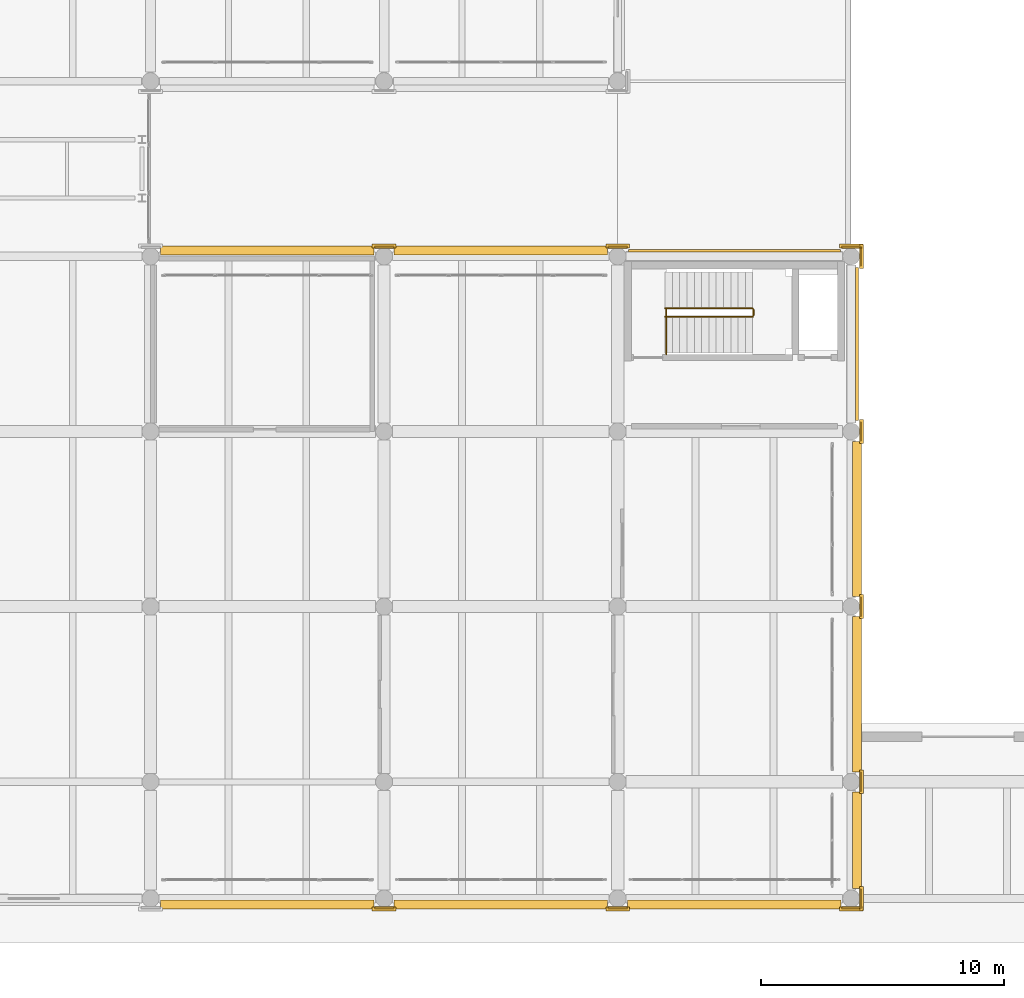
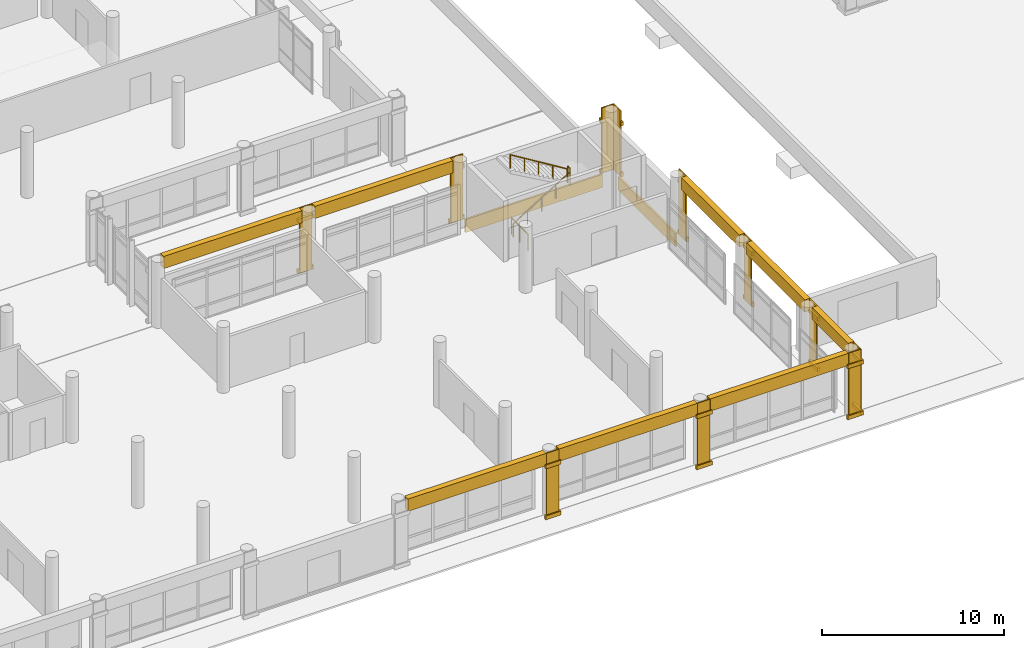
# One storey, part 172 of 196: 43 coverings, 4 railings.
"""IFC4 building model written with IfcOpenShell, lengths in metres."""

import ifcopenshell
import ifcopenshell.guid

model = None  # the IFC model being written
_history = None  # IfcOwnerHistory: only IFC2X3 demands one
_inside = {}  # id of a spatial element -> (the spatial element, [elements in it])
_under = {}  # id of a project, library or spatial element -> (it, [spatial elements below it])
_declared = {}  # id of a project -> (the project, [libraries it declares])
_typed = {}  # id of a type object -> (the type object, [elements of that type])
_made_of = {}  # id of a material, layer set ... -> (it, [elements and type objects made of it])


def new_model(schema):
    """Start an empty IFC model of exactly this schema.

    Asked for "IFC4X3", IfcOpenShell would pick the latest addendum, in which some entities
    have other attributes; the version numbers below select the first issue.
    IFC2X3 requires an IfcOwnerHistory on every rooted entity: one is made here for all.
    """
    global model, _history
    if schema == "IFC4X3":
        model = ifcopenshell.file(schema_version=(4, 3, 0, 0))
    else:
        model = ifcopenshell.file(schema=schema)
    _inside.clear()
    _under.clear()
    _declared.clear()
    _typed.clear()
    _made_of.clear()
    _history = None
    if model.schema == "IFC2X3":
        org = make("IfcOrganization", Name="unknown")
        user = make(
            "IfcPersonAndOrganization",
            ThePerson=make("IfcPerson", FamilyName="unknown"),
            TheOrganization=org,
        )
        app = make(
            "IfcApplication",
            ApplicationDeveloper=org,
            Version="unknown",
            ApplicationFullName="unknown",
            ApplicationIdentifier="unknown",
        )
        _history = make(
            "IfcOwnerHistory",
            OwningUser=user,
            OwningApplication=app,
            ChangeAction="ADDED",
            CreationDate=0,
        )
    return model


def make(cls, **values):
    """One entity of the class cls with the attributes given. An attribute that is None is left unset."""
    return model.create_entity(
        cls, **{name: value for name, value in values.items() if value is not None}
    )


def rooted(cls, **values):
    """An entity with a GlobalId (a new one), such as an element, a storey or a relation."""
    return make(cls, GlobalId=ifcopenshell.guid.new(), OwnerHistory=_history, **values)


def si_unit(unit_type, name, prefix=None):
    """IfcSIUnit, for example si_unit("LENGTHUNIT", "METRE", prefix="MILLI")."""
    return make("IfcSIUnit", UnitType=unit_type, Prefix=prefix, Name=name)


def assignment(units):
    """IfcUnitAssignment: the units of a project."""
    return None if units is None else make("IfcUnitAssignment", Units=units)


def point(xyz):
    """IfcCartesianPoint."""
    return None if xyz is None else make("IfcCartesianPoint", Coordinates=xyz)


def direction(xyz):
    """IfcDirection."""
    return None if xyz is None else make("IfcDirection", DirectionRatios=xyz)


def frame(location, z_axis=None, x_axis=None):
    """IfcAxis2Placement3D, a coordinate frame: its origin and axes. An axis left out is left unset."""
    return make(
        "IfcAxis2Placement3D",
        Location=point(location),
        Axis=direction(z_axis),
        RefDirection=direction(x_axis),
    )


def frame_2d(location, x_axis=None):
    """IfcAxis2Placement2D, a coordinate frame in the plane: its origin and x axis."""
    return make(
        "IfcAxis2Placement2D", Location=point(location), RefDirection=direction(x_axis)
    )


def origin():
    """The frame at (0, 0, 0) with its axes left unset."""
    return frame((0.0, 0.0, 0.0))


def origin_2d():
    """The frame at (0, 0) in the plane with its x axis left unset."""
    return frame_2d((0.0, 0.0))


def place(relative_to, where):
    """IfcLocalPlacement: puts the frame where relative to a parent placement (None: the world)."""
    return make(
        "IfcLocalPlacement", PlacementRelTo=relative_to, RelativePlacement=where
    )


def context(
    kind, dimensions, precision=None, world=None, true_north=None, identifier=None
):
    """IfcGeometricRepresentationContext, for example the 3D "Model" context."""
    return make(
        "IfcGeometricRepresentationContext",
        ContextIdentifier=identifier,
        ContextType=kind,
        CoordinateSpaceDimension=dimensions,
        Precision=precision,
        WorldCoordinateSystem=world,
        TrueNorth=true_north,
    )


def subcontext(parent, identifier, kind, view, scale=None):
    """IfcGeometricRepresentationSubContext, for example "Body" below "Model"."""
    return make(
        "IfcGeometricRepresentationSubContext",
        ContextIdentifier=identifier,
        ContextType=kind,
        ParentContext=parent,
        TargetScale=scale,
        TargetView=view,
    )


def project(units=None, contexts=None):
    """IfcProject with its units and contexts."""
    return rooted(
        "IfcProject",
        Name="project",
        RepresentationContexts=contexts,
        UnitsInContext=assignment(units),
    )


def spatial(cls, under=None, at=None, **own):
    """A site, building, storey or space (cls), placed at a placement, below another one or the project."""
    s = rooted(cls, ObjectPlacement=at, **own)
    if under is not None:
        _under.setdefault(under.id(), (under, []))[1].append(s)
    return s


def profile(cls, at=None, kind="AREA", **sizes):
    """A parametric profile (cls). Its sizes go by their IFC names, for example OverallWidth=200.0."""
    return make(cls, ProfileType=kind, Position=at, **sizes)


def rectangle(**sizes):
    """IfcRectangleProfileDef."""
    return profile("IfcRectangleProfileDef", **sizes)


def circle(**sizes):
    """IfcCircleProfileDef."""
    return profile("IfcCircleProfileDef", **sizes)


def extrude(swept, where, along, depth):
    """IfcExtrudedAreaSolid: the profile swept, set in the frame where, extruded along a direction by depth."""
    return make(
        "IfcExtrudedAreaSolid",
        SweptArea=swept,
        Position=where,
        ExtrudedDirection=direction(along),
        Depth=depth,
    )


def shape(context_of_items, identifier, shape_type, items):
    """IfcShapeRepresentation: the items that make up one representation, for example the "Body"."""
    return make(
        "IfcShapeRepresentation",
        ContextOfItems=context_of_items,
        RepresentationIdentifier=identifier,
        RepresentationType=shape_type,
        Items=items,
    )


def material(Name=None, Category=None):
    """IfcMaterial."""
    return make("IfcMaterial", Name=Name, Category=Category)


def layer(
    of_material, thickness, ventilated=None, Name=None, Category=None, Priority=None
):
    """IfcMaterialLayer: one layer of a wall or slab, of a material (None: an air gap)."""
    return make(
        "IfcMaterialLayer",
        Material=of_material,
        LayerThickness=thickness,
        IsVentilated=ventilated,
        Name=Name,
        Category=Category,
        Priority=Priority,
    )


def layer_set(layers, Name=None):
    """IfcMaterialLayerSet."""
    return make("IfcMaterialLayerSet", MaterialLayers=layers, LayerSetName=Name)


def made_of(thing, what):
    """Note that an element or type object is made of a material, layer set ...; save() writes the relation."""
    if what is not None:
        _made_of.setdefault(what.id(), (what, []))[1].append(thing)
    return thing


def type_object(cls, material=None, **own):
    """A type object (cls), such as IfcWallType, which elements share."""
    return made_of(rooted(cls, **own), material)


def element(
    cls,
    number,
    at=None,
    inside=None,
    cuts=None,
    type_object=None,
    material=None,
    context=None,
    identifier="Body",
    shape_type=None,
    held_by="IfcProductDefinitionShape",
    body=None,
    shapes=None,
    **own,
):
    """One element of the class cls, such as IfcWall. Its Tag is "e" and its number.

    at: its placement. inside: the storey or other place that contains it. cuts: it is an
    opening in that element (IfcRelVoidsElement). A single representation is given by context,
    identifier, shape_type and body (its items); several are given by shapes. held_by: the class
    of the entity that holds the representations. save() writes the other relations.
    """
    e = rooted(cls, Tag="e%d" % number, ObjectPlacement=at, **own)
    if body is not None:
        shapes = [shape(context, identifier, shape_type, body)]
    if shapes is not None:
        e.Representation = make(held_by, Representations=shapes)
    if inside is not None:
        _inside.setdefault(inside.id(), (inside, []))[1].append(e)
    if cuts is not None:
        rooted(
            "IfcRelVoidsElement", RelatingBuildingElement=cuts, RelatedOpeningElement=e
        )
    if type_object is not None:
        _typed.setdefault(type_object.id(), (type_object, []))[1].append(e)
    return made_of(e, material)


def aggregate(whole, parts):
    """IfcRelAggregates: a whole, such as a stair, and the parts it consists of."""
    return rooted("IfcRelAggregates", RelatingObject=whole, RelatedObjects=parts)


def save(model, path):
    """Write the relations noted so far, then the file.

    IfcRelAggregates (storeys below a building ...), IfcRelContainedInSpatialStructure (elements
    in a storey), IfcRelDefinesByType, IfcRelAssociatesMaterial and IfcRelDeclares: one each for
    every whole, place, type object, material and project.
    """
    for whole, parts in _under.values():
        aggregate(whole, parts)
    for where, things in _inside.values():
        rooted(
            "IfcRelContainedInSpatialStructure",
            RelatedElements=things,
            RelatingStructure=where,
        )
    for kind, things in _typed.values():
        rooted("IfcRelDefinesByType", RelatedObjects=things, RelatingType=kind)
    for what, things in _made_of.values():
        rooted("IfcRelAssociatesMaterial", RelatedObjects=things, RelatingMaterial=what)
    for by, libraries in _declared.values():
        rooted("IfcRelDeclares", RelatingContext=by, RelatedDefinitions=libraries)
    model.write(path)


model = new_model("IFC4")

# Units and contexts
model_context = context("Model", 3, precision=1e-05, world=origin(), true_north=direction((0.0, 1.0)))
body_context = subcontext(model_context, "Body", "Model", "MODEL_VIEW")
ifc_project = project(units=[si_unit("LENGTHUNIT", "METRE"), si_unit("AREAUNIT", "SQUARE_METRE"), si_unit("VOLUMEUNIT", "CUBIC_METRE"), si_unit("PLANEANGLEUNIT", "RADIAN"), si_unit("MASSUNIT", "GRAM", prefix="KILO")], contexts=[model_context])

# Site, building, storey
site_placement = place(None, origin())
site = spatial("IfcSite", under=ifc_project, at=site_placement, CompositionType="ELEMENT")
building_placement = place(site_placement, origin())
building = spatial("IfcBuilding", under=site, at=building_placement, Name="Asteropetra Specialist Clinic", CompositionType="ELEMENT")
storey_placement = place(building_placement, origin())
storey = spatial("IfcBuildingStorey", under=building, at=storey_placement, Name="L00", CompositionType="ELEMENT", Elevation=0.0)

# Coverings
ifc_material_1 = material(Name="Pentelic marble ashlar", Category="masonry")
ifc_layer = layer(ifc_material_1, 0.159912109375)
ifc_layer_set = layer_set([ifc_layer], Name="Pentelic marble ashlar")
covering_type = type_object("IfcCoveringType", Name="CRN-ENTAB-600", PredefinedType="MOLDING", material=ifc_layer_set)
for number, where, z_axis, x_axis, name in (
    (1, (33.60009765625, -0.239990234375, 3.58984375), (0.0, 0.0, 1.0), (1.0, 0.0, 0.0), "Stoa Classical Entablature SE-0003"),
    (2, (33.60009765625, 26.639892578125, 3.58984375), (0.0, 0.0, 1.0), (1.0, 0.0, 0.0), "Stoa Classical Entablature SE-0004"),
    (3, (43.199951171875, -0.239990234375, 3.58984375), (0.0, 0.0, 1.0), (1.0, 0.0, 0.0), "Stoa Classical Entablature SE-0005"),
    (4, (43.199951171875, 26.639892578125, 3.58984375), (0.0, 0.0, 1.0), (1.0, 0.0, 0.0), "Stoa Classical Entablature SE-0006"),
    (5, (52.800048828125, -0.239990234375, 3.58984375), (0.0, 0.0, 1.0), (1.0, 0.0, 0.0), "Stoa Classical Entablature SE-0007"),
):
    element("IfcCovering", number, at=place(storey_placement, frame(where, z_axis=z_axis, x_axis=x_axis)), inside=storey, type_object=covering_type, Name=name, PredefinedType="MOLDING", context=body_context, shape_type="SweptSolid", body=[
        extrude(rectangle(XDim=8.780029296875, YDim=0.360107421875, at=origin_2d()), origin(), (0.0, 0.0, 1.0), 0.820068359375),
    ])
covering_1_placement = place(storey_placement, frame((57.840087890625, 2.39990234375, 3.58984375), z_axis=(0.0, 0.0, 1.0), x_axis=(1.0, 0.0, 0.0)))
element("IfcCovering", 6, at=covering_1_placement, inside=storey, type_object=covering_type, Name="Stoa Classical Entablature SE-0008", PredefinedType="MOLDING", context=body_context, shape_type="SweptSolid", body=[
    extrude(rectangle(XDim=0.360107421875, YDim=3.97998046875, at=origin_2d()), origin(), (0.0, 0.0, 1.0), 0.820068359375),
])
for number, where, z_axis, x_axis, name in (
    (7, (57.840087890625, 8.39990234375, 3.58984375), (0.0, 0.0, 1.0), (1.0, 0.0, 0.0), "Stoa Classical Entablature SE-0010"),
    (8, (57.840087890625, 15.60009765625, 3.58984375), (0.0, 0.0, 1.0), (1.0, 0.0, 0.0), "Stoa Classical Entablature SE-0012"),
):
    element("IfcCovering", number, at=place(storey_placement, frame(where, z_axis=z_axis, x_axis=x_axis)), inside=storey, type_object=covering_type, Name=name, PredefinedType="MOLDING", context=body_context, shape_type="SweptSolid", body=[
        extrude(rectangle(XDim=0.360107421875, YDim=6.3798828125, at=origin_2d()), origin(), (0.0, 0.0, 1.0), 0.820068359375),
    ])
covering_2_placement = place(storey_placement, frame((38.39990234375, -0.382080078125, 0.02001953125), z_axis=(0.0, 0.0, 1.0), x_axis=(1.0, 0.0, 0.0)))
element("IfcCovering", 9, at=covering_2_placement, inside=storey, type_object=covering_type, Name="Neoclassical Pilaster Facing CM-0274", PredefinedType="MOLDING", context=body_context, shape_type="SweptSolid", body=[
    extrude(rectangle(XDim=0.780029296875, YDim=0.080078125, at=origin_2d()), origin(), (0.0, 0.0, 1.0), 4.3798828125),
])
for number, where, z_axis, x_axis, name in (
    (10, (38.39990234375, -0.422119140625, 0.009765625), (0.0, 0.0, 1.0), (1.0, 0.0, 0.0), "Doric Base CC-0275"),
    (11, (38.39990234375, -0.422119140625, 3.43017578125), (0.0, 0.0, 1.0), (1.0, 0.0, 0.0), "Doric Capital CC-0276"),
):
    element("IfcCovering", number, at=place(storey_placement, frame(where, z_axis=z_axis, x_axis=x_axis)), inside=storey, type_object=covering_type, Name=name, PredefinedType="MOLDING", context=body_context, shape_type="SweptSolid", body=[
        extrude(rectangle(XDim=0.97998046875, YDim=0.159912109375, at=origin_2d()), origin(), (0.0, 0.0, 1.0), 0.260009765625),
    ])
covering_3_placement = place(storey_placement, frame((38.39990234375, 26.781982421875, 0.02001953125), z_axis=(0.0, 0.0, 1.0), x_axis=(1.0, 0.0, 0.0)))
element("IfcCovering", 12, at=covering_3_placement, inside=storey, type_object=covering_type, Name="Neoclassical Pilaster Facing CM-0277", PredefinedType="MOLDING", context=body_context, shape_type="SweptSolid", body=[
    extrude(rectangle(XDim=0.780029296875, YDim=0.080078125, at=origin_2d()), origin(), (0.0, 0.0, 1.0), 4.3798828125),
])
for number, where, z_axis, x_axis, name in (
    (13, (38.39990234375, 26.822021484375, 0.009765625), (0.0, 0.0, 1.0), (1.0, 0.0, 0.0), "Doric Base CC-0278"),
    (14, (38.39990234375, 26.822021484375, 3.43017578125), (0.0, 0.0, 1.0), (1.0, 0.0, 0.0), "Doric Capital CC-0279"),
):
    element("IfcCovering", number, at=place(storey_placement, frame(where, z_axis=z_axis, x_axis=x_axis)), inside=storey, type_object=covering_type, Name=name, PredefinedType="MOLDING", context=body_context, shape_type="SweptSolid", body=[
        extrude(rectangle(XDim=0.97998046875, YDim=0.159912109375, at=origin_2d()), origin(), (0.0, 0.0, 1.0), 0.260009765625),
    ])
covering_4_placement = place(storey_placement, frame((48.0, -0.382080078125, 0.02001953125), z_axis=(0.0, 0.0, 1.0), x_axis=(1.0, 0.0, 0.0)))
element("IfcCovering", 15, at=covering_4_placement, inside=storey, type_object=covering_type, Name="Neoclassical Pilaster Facing CM-0280", PredefinedType="MOLDING", context=body_context, shape_type="SweptSolid", body=[
    extrude(rectangle(XDim=0.780029296875, YDim=0.080078125, at=origin_2d()), origin(), (0.0, 0.0, 1.0), 4.3798828125),
])
for number, where, z_axis, x_axis, name in (
    (16, (48.0, -0.422119140625, 0.009765625), (0.0, 0.0, 1.0), (1.0, 0.0, 0.0), "Doric Base CC-0281"),
    (17, (48.0, -0.422119140625, 3.43017578125), (0.0, 0.0, 1.0), (1.0, 0.0, 0.0), "Doric Capital CC-0282"),
):
    element("IfcCovering", number, at=place(storey_placement, frame(where, z_axis=z_axis, x_axis=x_axis)), inside=storey, type_object=covering_type, Name=name, PredefinedType="MOLDING", context=body_context, shape_type="SweptSolid", body=[
        extrude(rectangle(XDim=0.97998046875, YDim=0.159912109375, at=origin_2d()), origin(), (0.0, 0.0, 1.0), 0.260009765625),
    ])
covering_5_placement = place(storey_placement, frame((48.0, 26.781982421875, 0.02001953125), z_axis=(0.0, 0.0, 1.0), x_axis=(1.0, 0.0, 0.0)))
element("IfcCovering", 18, at=covering_5_placement, inside=storey, type_object=covering_type, Name="Neoclassical Pilaster Facing CM-0283", PredefinedType="MOLDING", context=body_context, shape_type="SweptSolid", body=[
    extrude(rectangle(XDim=0.780029296875, YDim=0.080078125, at=origin_2d()), origin(), (0.0, 0.0, 1.0), 4.3798828125),
])
for number, where, z_axis, x_axis, name in (
    (19, (48.0, 26.822021484375, 0.009765625), (0.0, 0.0, 1.0), (1.0, 0.0, 0.0), "Doric Base CC-0284"),
    (20, (48.0, 26.822021484375, 3.43017578125), (0.0, 0.0, 1.0), (1.0, 0.0, 0.0), "Doric Capital CC-0285"),
):
    element("IfcCovering", number, at=place(storey_placement, frame(where, z_axis=z_axis, x_axis=x_axis)), inside=storey, type_object=covering_type, Name=name, PredefinedType="MOLDING", context=body_context, shape_type="SweptSolid", body=[
        extrude(rectangle(XDim=0.97998046875, YDim=0.159912109375, at=origin_2d()), origin(), (0.0, 0.0, 1.0), 0.260009765625),
    ])
covering_6_placement = place(storey_placement, frame((57.60009765625, -0.382080078125, 0.02001953125), z_axis=(0.0, 0.0, 1.0), x_axis=(1.0, 0.0, 0.0)))
element("IfcCovering", 21, at=covering_6_placement, inside=storey, type_object=covering_type, Name="Neoclassical Pilaster Facing CM-0286", PredefinedType="MOLDING", context=body_context, shape_type="SweptSolid", body=[
    extrude(rectangle(XDim=0.780029296875, YDim=0.080078125, at=origin_2d()), origin(), (0.0, 0.0, 1.0), 4.3798828125),
])
for number, where, z_axis, x_axis, name in (
    (22, (57.60009765625, -0.422119140625, 0.009765625), (0.0, 0.0, 1.0), (1.0, 0.0, 0.0), "Doric Base CC-0287"),
    (23, (57.60009765625, -0.422119140625, 3.43017578125), (0.0, 0.0, 1.0), (1.0, 0.0, 0.0), "Doric Capital CC-0288"),
):
    element("IfcCovering", number, at=place(storey_placement, frame(where, z_axis=z_axis, x_axis=x_axis)), inside=storey, type_object=covering_type, Name=name, PredefinedType="MOLDING", context=body_context, shape_type="SweptSolid", body=[
        extrude(rectangle(XDim=0.97998046875, YDim=0.159912109375, at=origin_2d()), origin(), (0.0, 0.0, 1.0), 0.260009765625),
    ])
covering_7_placement = place(storey_placement, frame((57.98193359375, 0.0, 0.02001953125), z_axis=(0.0, 0.0, 1.0), x_axis=(1.0, 0.0, 0.0)))
element("IfcCovering", 24, at=covering_7_placement, inside=storey, type_object=covering_type, Name="Neoclassical Pilaster Facing CM-0289", PredefinedType="MOLDING", context=body_context, shape_type="SweptSolid", body=[
    extrude(rectangle(XDim=0.080078125, YDim=0.780029296875, at=origin_2d()), origin(), (0.0, 0.0, 1.0), 4.3798828125),
])
for number, where, z_axis, x_axis, name in (
    (25, (58.02197265625, 0.0, 0.009765625), (0.0, 0.0, 1.0), (1.0, 0.0, 0.0), "Doric Base CC-0290"),
    (26, (58.02197265625, 0.0, 3.43017578125), (0.0, 0.0, 1.0), (1.0, 0.0, 0.0), "Doric Capital CC-0291"),
):
    element("IfcCovering", number, at=place(storey_placement, frame(where, z_axis=z_axis, x_axis=x_axis)), inside=storey, type_object=covering_type, Name=name, PredefinedType="MOLDING", context=body_context, shape_type="SweptSolid", body=[
        extrude(rectangle(XDim=0.159912109375, YDim=0.97998046875, at=origin_2d()), origin(), (0.0, 0.0, 1.0), 0.260009765625),
    ])
covering_8_placement = place(storey_placement, frame((57.98193359375, 4.800048828125, 0.02001953125), z_axis=(0.0, 0.0, 1.0), x_axis=(1.0, 0.0, 0.0)))
element("IfcCovering", 27, at=covering_8_placement, inside=storey, type_object=covering_type, Name="Neoclassical Pilaster Facing CM-0292", PredefinedType="MOLDING", context=body_context, shape_type="SweptSolid", body=[
    extrude(rectangle(XDim=0.080078125, YDim=0.780029296875, at=origin_2d()), origin(), (0.0, 0.0, 1.0), 4.3798828125),
])
for number, where, z_axis, x_axis, name in (
    (28, (58.02197265625, 4.800048828125, 0.009765625), (0.0, 0.0, 1.0), (1.0, 0.0, 0.0), "Doric Base CC-0293"),
    (29, (58.02197265625, 4.800048828125, 3.43017578125), (0.0, 0.0, 1.0), (1.0, 0.0, 0.0), "Doric Capital CC-0294"),
):
    element("IfcCovering", number, at=place(storey_placement, frame(where, z_axis=z_axis, x_axis=x_axis)), inside=storey, type_object=covering_type, Name=name, PredefinedType="MOLDING", context=body_context, shape_type="SweptSolid", body=[
        extrude(rectangle(XDim=0.159912109375, YDim=0.97998046875, at=origin_2d()), origin(), (0.0, 0.0, 1.0), 0.260009765625),
    ])
covering_9_placement = place(storey_placement, frame((57.98193359375, 12.0, 0.02001953125), z_axis=(0.0, 0.0, 1.0), x_axis=(1.0, 0.0, 0.0)))
element("IfcCovering", 30, at=covering_9_placement, inside=storey, type_object=covering_type, Name="Neoclassical Pilaster Facing CM-0295", PredefinedType="MOLDING", context=body_context, shape_type="SweptSolid", body=[
    extrude(rectangle(XDim=0.080078125, YDim=0.780029296875, at=origin_2d()), origin(), (0.0, 0.0, 1.0), 4.3798828125),
])
for number, where, z_axis, x_axis, name in (
    (31, (58.02197265625, 12.0, 0.009765625), (0.0, 0.0, 1.0), (1.0, 0.0, 0.0), "Doric Base CC-0296"),
    (32, (58.02197265625, 12.0, 3.43017578125), (0.0, 0.0, 1.0), (1.0, 0.0, 0.0), "Doric Capital CC-0297"),
):
    element("IfcCovering", number, at=place(storey_placement, frame(where, z_axis=z_axis, x_axis=x_axis)), inside=storey, type_object=covering_type, Name=name, PredefinedType="MOLDING", context=body_context, shape_type="SweptSolid", body=[
        extrude(rectangle(XDim=0.159912109375, YDim=0.97998046875, at=origin_2d()), origin(), (0.0, 0.0, 1.0), 0.260009765625),
    ])
covering_10_placement = place(storey_placement, frame((57.98193359375, 19.199951171875, 0.02001953125), z_axis=(0.0, 0.0, 1.0), x_axis=(1.0, 0.0, 0.0)))
element("IfcCovering", 33, at=covering_10_placement, inside=storey, type_object=covering_type, Name="Neoclassical Pilaster Facing CM-0298", PredefinedType="MOLDING", context=body_context, shape_type="SweptSolid", body=[
    extrude(rectangle(XDim=0.080078125, YDim=0.780029296875, at=origin_2d()), origin(), (0.0, 0.0, 1.0), 4.3798828125),
])
for number, where, z_axis, x_axis, name in (
    (34, (58.02197265625, 19.199951171875, 0.009765625), (0.0, 0.0, 1.0), (1.0, 0.0, 0.0), "Doric Base CC-0299"),
    (35, (58.02197265625, 19.199951171875, 3.43017578125), (0.0, 0.0, 1.0), (1.0, 0.0, 0.0), "Doric Capital CC-0300"),
):
    element("IfcCovering", number, at=place(storey_placement, frame(where, z_axis=z_axis, x_axis=x_axis)), inside=storey, type_object=covering_type, Name=name, PredefinedType="MOLDING", context=body_context, shape_type="SweptSolid", body=[
        extrude(rectangle(XDim=0.159912109375, YDim=0.97998046875, at=origin_2d()), origin(), (0.0, 0.0, 1.0), 0.260009765625),
    ])
covering_11_placement = place(storey_placement, frame((57.60009765625, 26.781982421875, 0.02001953125), z_axis=(0.0, 0.0, 1.0), x_axis=(1.0, 0.0, 0.0)))
element("IfcCovering", 36, at=covering_11_placement, inside=storey, type_object=covering_type, Name="Neoclassical Pilaster Facing CM-0301", PredefinedType="MOLDING", context=body_context, shape_type="SweptSolid", body=[
    extrude(rectangle(XDim=0.780029296875, YDim=0.080078125, at=origin_2d()), origin(), (0.0, 0.0, 1.0), 4.3798828125),
])
for number, where, z_axis, x_axis, name in (
    (37, (57.60009765625, 26.822021484375, 0.009765625), (0.0, 0.0, 1.0), (1.0, 0.0, 0.0), "Doric Base CC-0302"),
    (38, (57.60009765625, 26.822021484375, 3.43017578125), (0.0, 0.0, 1.0), (1.0, 0.0, 0.0), "Doric Capital CC-0303"),
):
    element("IfcCovering", number, at=place(storey_placement, frame(where, z_axis=z_axis, x_axis=x_axis)), inside=storey, type_object=covering_type, Name=name, PredefinedType="MOLDING", context=body_context, shape_type="SweptSolid", body=[
        extrude(rectangle(XDim=0.97998046875, YDim=0.159912109375, at=origin_2d()), origin(), (0.0, 0.0, 1.0), 0.260009765625),
    ])
covering_12_placement = place(storey_placement, frame((57.98193359375, 26.39990234375, 0.02001953125), z_axis=(0.0, 0.0, 1.0), x_axis=(1.0, 0.0, 0.0)))
element("IfcCovering", 39, at=covering_12_placement, inside=storey, type_object=covering_type, Name="Neoclassical Pilaster Facing CM-0304", PredefinedType="MOLDING", context=body_context, shape_type="SweptSolid", body=[
    extrude(rectangle(XDim=0.080078125, YDim=0.780029296875, at=origin_2d()), origin(), (0.0, 0.0, 1.0), 4.3798828125),
])
for number, where, z_axis, x_axis, name in (
    (40, (58.02197265625, 26.39990234375, 0.009765625), (0.0, 0.0, 1.0), (1.0, 0.0, 0.0), "Doric Base CC-0305"),
    (41, (58.02197265625, 26.39990234375, 3.43017578125), (0.0, 0.0, 1.0), (1.0, 0.0, 0.0), "Doric Capital CC-0306"),
):
    element("IfcCovering", number, at=place(storey_placement, frame(where, z_axis=z_axis, x_axis=x_axis)), inside=storey, type_object=covering_type, Name=name, PredefinedType="MOLDING", context=body_context, shape_type="SweptSolid", body=[
        extrude(rectangle(XDim=0.159912109375, YDim=0.97998046875, at=origin_2d()), origin(), (0.0, 0.0, 1.0), 0.260009765625),
    ])
covering_13_placement = place(storey_placement, frame((52.800048828125, 26.6298828125, -0.800048828125), z_axis=(0.0, 0.0, 1.0), x_axis=(1.0, 0.0, 0.0)))
element("IfcCovering", 42, at=covering_13_placement, inside=storey, type_object=covering_type, Name="Chevron Spandrel Band CV-1361", PredefinedType="MOLDING", context=body_context, shape_type="SweptSolid", body=[
    extrude(rectangle(XDim=8.699951171875, YDim=0.1201171875, at=origin_2d()), origin(), (0.0, 0.0, 1.0), 0.8798828125),
])
covering_14_placement = place(storey_placement, frame((57.830078125, 22.800048828125, -0.800048828125), z_axis=(0.0, 0.0, 1.0), x_axis=(1.0, 0.0, 0.0)))
element("IfcCovering", 43, at=covering_14_placement, inside=storey, type_object=covering_type, Name="Chevron Spandrel Band CV-1364", PredefinedType="MOLDING", context=body_context, shape_type="SweptSolid", body=[
    extrude(rectangle(XDim=0.1201171875, YDim=6.300048828125, at=origin_2d()), origin(), (0.0, 0.0, 1.0), 0.8798828125),
])

# Railings
ifc_material_2 = material(Name="Steel S355 and laminated glass guard", Category="steel")
railing_type_1 = type_object("IfcRailingType", Name="GRD-INT-1120", PredefinedType="GUARDRAIL", material=ifc_material_2)
railing_1_placement = place(storey_placement, frame((50.0, 22.3798828125, 0.0)))
element("IfcRailing", 44, at=railing_1_placement, inside=storey, type_object=railing_type_1, Name="Stair Well Guard ST07-B1", PredefinedType="GUARDRAIL", context=body_context, shape_type="SweptSolid", body=[
    extrude(circle(Radius=0.02392578125, at=origin_2d()), frame((0.0, 0.0, 1.09619140625), z_axis=(0.0, 1.0, 0.0), x_axis=(-1.0, 0.0, 0.0)), (0.0, 0.0, 1.0), 1.830078125),
    extrude(circle(Radius=0.02099609375, at=origin_2d()), origin(), (0.0, 0.0, 1.0), 1.072021484375),
    extrude(circle(Radius=0.02099609375, at=origin_2d()), frame((0.0, 0.9150390625, 0.0)), (0.0, 0.0, 1.0), 1.072021484375),
    extrude(circle(Radius=0.02099609375, at=origin_2d()), frame((0.0, 1.830078125, 0.0)), (0.0, 0.0, 1.0), 1.072021484375),
])
railing_2_placement = place(storey_placement, frame((53.580078125, 23.969970703125, 2.2099609375)))
element("IfcRailing", 45, at=railing_2_placement, inside=storey, type_object=railing_type_1, Name="Landing Slot Guard ST07-L00", PredefinedType="GUARDRAIL", context=body_context, shape_type="SweptSolid", body=[
    extrude(circle(Radius=0.02392578125, at=origin_2d()), frame((0.0, 0.0, 1.09619140625), z_axis=(0.0, 1.0, 0.0), x_axis=(-1.0, 0.0, 0.0)), (0.0, 0.0, 1.0), 0.239990234375),
    extrude(circle(Radius=0.02099609375, at=origin_2d()), origin(), (0.0, 0.0, 1.0), 1.072021484375),
    extrude(circle(Radius=0.02099609375, at=origin_2d()), frame((0.0, 0.239990234375, 0.0)), (0.0, 0.0, 1.0), 1.072021484375),
])
ifc_material_3 = material(Name="Brushed stainless steel handrail", Category="steel")
railing_type_2 = type_object("IfcRailingType", Name="HRL-STAIR-920", PredefinedType="HANDRAIL", material=ifc_material_3)
railing_3_placement = place(storey_placement, frame((49.949951171875, 23.919921875, 0.0)))
element("IfcRailing", 46, at=railing_3_placement, inside=storey, type_object=railing_type_2, Name="Stair Handrail ST07-L00 F1", PredefinedType="HANDRAIL", context=body_context, shape_type="SweptSolid", body=[
    extrude(circle(Radius=0.02392578125, at=origin_2d()), frame((0.0, 0.0, 0.89599609375), z_axis=(0.85223722916, 0.0, 0.523155526811), x_axis=(0.0, 1.0, 0.0)), (0.0, 0.0, 1.0), 4.224365234375),
    extrude(circle(Radius=0.02099609375, at=origin_2d()), origin(), (0.0, 0.0, 1.0), 0.871826171875),
    extrude(circle(Radius=0.02099609375, at=origin_2d()), frame((0.89990234375, 0.0, 0.552490234375)), (0.0, 0.0, 1.0), 0.871826171875),
    extrude(circle(Radius=0.02099609375, at=origin_2d()), frame((1.800048828125, 0.0, 1.10498046875)), (0.0, 0.0, 1.0), 0.871826171875),
    extrude(circle(Radius=0.02099609375, at=origin_2d()), frame((2.7001953125, 0.0, 1.657470703125)), (0.0, 0.0, 1.0), 0.871826171875),
    extrude(circle(Radius=0.02099609375, at=origin_2d()), frame((3.60009765625, 0.0, 2.2099609375)), (0.0, 0.0, 1.0), 0.871826171875),
])
railing_4_placement = place(storey_placement, frame((53.550048828125, 24.260009765625, 2.2099609375)))
element("IfcRailing", 47, at=railing_4_placement, inside=storey, type_object=railing_type_2, Name="Stair Handrail ST07-L00 F2", PredefinedType="HANDRAIL", context=body_context, shape_type="SweptSolid", body=[
    extrude(circle(Radius=0.02392578125, at=origin_2d()), frame((0.0, 0.0, 0.89599609375), z_axis=(-0.85223722916, 0.0, 0.523155526811), x_axis=(0.0, -1.0, 0.0)), (0.0, 0.0, 1.0), 4.224365234375),
    extrude(circle(Radius=0.02099609375, at=origin_2d()), origin(), (0.0, 0.0, 1.0), 0.871826171875),
    extrude(circle(Radius=0.02099609375, at=origin_2d()), frame((-0.89990234375, 0.0, 0.552490234375)), (0.0, 0.0, 1.0), 0.871826171875),
    extrude(circle(Radius=0.02099609375, at=origin_2d()), frame((-1.800048828125, 0.0, 1.10498046875)), (0.0, 0.0, 1.0), 0.871826171875),
    extrude(circle(Radius=0.02099609375, at=origin_2d()), frame((-2.7001953125, 0.0, 1.657470703125)), (0.0, 0.0, 1.0), 0.871826171875),
    extrude(circle(Radius=0.02099609375, at=origin_2d()), frame((-3.60009765625, 0.0, 2.2099609375)), (0.0, 0.0, 1.0), 0.871826171875),
])

save(model, "model.ifc")
